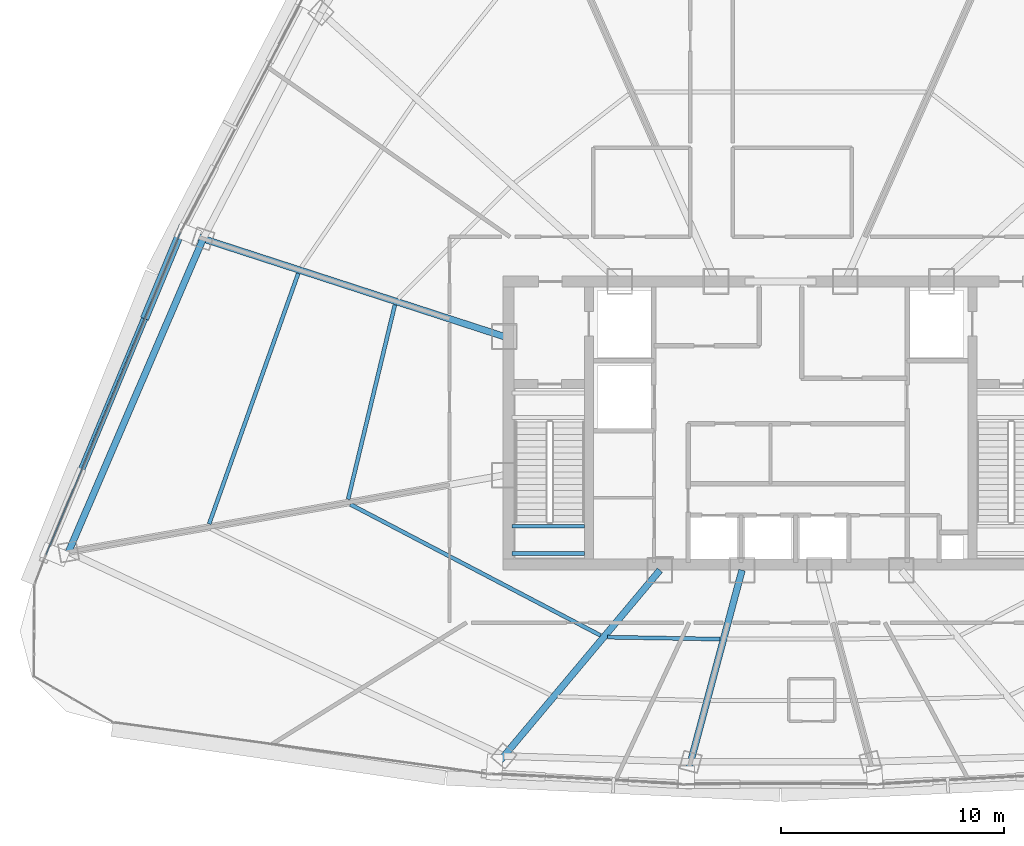
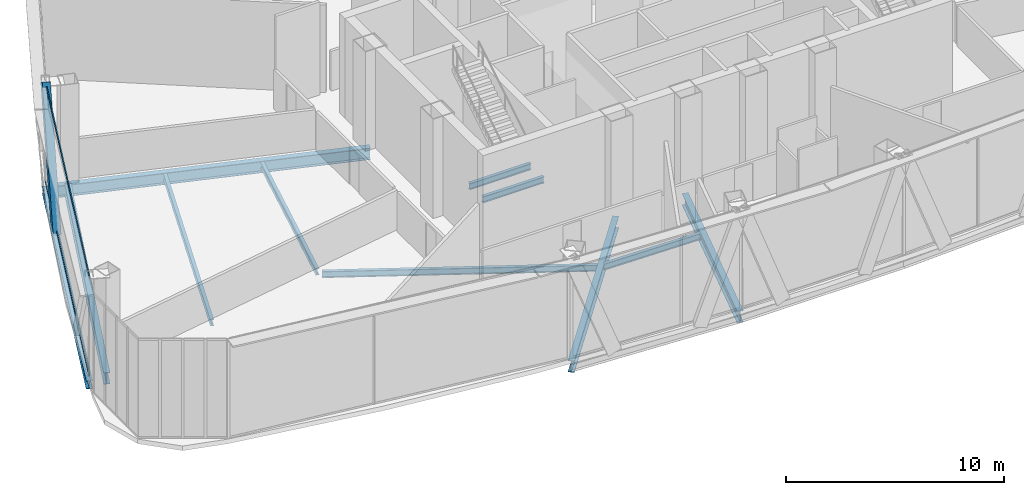
# One storey, part 7 of 38: 11 beams, 3 members, 1 element without a shape of its own.
"""IFC4 building model written with IfcOpenShell, lengths in metres."""

from ifc_helpers import new_model, si_unit, direction, frame, origin, origin_2d, place, context, subcontext, project, spatial, hollow_rectangle, i_section, extrude, source, transform, mapped, material, layer, layer_set, material_profile, profile_set, type_object, element, aggregate, save


model = new_model("IFC4")

# Units and contexts
model_context = context("Model", 3, precision=1e-05, world=origin(), true_north=direction((0.0, 1.0)))
body_context = subcontext(model_context, "Body", "Model", "MODEL_VIEW")
ifc_project = project(units=[si_unit("LENGTHUNIT", "METRE"), si_unit("AREAUNIT", "SQUARE_METRE"), si_unit("VOLUMEUNIT", "CUBIC_METRE"), si_unit("PLANEANGLEUNIT", "RADIAN"), si_unit("MASSUNIT", "GRAM", prefix="KILO"), si_unit("THERMODYNAMICTEMPERATUREUNIT", "KELVIN"), si_unit("POWERUNIT", "WATT")], contexts=[model_context])

# Site, building, storey
site_placement = place(None, origin())
site = spatial("IfcSite", under=ifc_project, at=site_placement, CompositionType="ELEMENT")
building_placement = place(site_placement, origin())
building = spatial("IfcBuilding", under=site, at=building_placement, Name="Yunzhuo Pagoda Commons", CompositionType="ELEMENT")
storey_placement = place(building_placement, frame((0.0, 0.0, 266.909912109375)))
storey = spatial("IfcBuildingStorey", under=building, at=storey_placement, Name="L67", CompositionType="ELEMENT", Elevation=266.909912109375)

# Beams
ifc_material_1 = material(Name="Structural steel Q355B", Category="steel")
ifc_material_profile_1 = material_profile(ifc_material_1, i_section(OverallWidth=0.175048828125, OverallDepth=0.35009765625, WebThickness=0.007080078125, FlangeThickness=0.010986328125, at=origin_2d()), Name="Structural steel Q355B")
ifc_profile_set_1 = profile_set([ifc_material_profile_1], Name="Structural steel Q355B")
beam_type_1 = type_object("IfcBeamType", Name="B-JS2 Joist HN 350x175x7x11", PredefinedType="JOIST", material=ifc_profile_set_1)
shared_shape_1 = source(origin(), body_context, "Body", "SweptSolid", [
    extrude(i_section(OverallWidth=0.175048828125, OverallDepth=0.35009765625, WebThickness=0.007080078125, FlangeThickness=0.010986328125, at=origin_2d()), origin(), (0.0, 0.0, 1.0), 3.25),
])
for number, where, z_axis, x_axis, name in (
    (1, (35.949951171875, 28.0, 2.550048828125), (1.0, 0.0, 0.0), (0.0, 1.0, 0.0), "L67 ST1 landing support beam 73A"),
    (2, (35.949951171875, 29.219970703125, 2.550048828125), (1.0, 0.0, 0.0), (0.0, 1.0, 0.0), "L67 ST1 landing support beam 73B"),
):
    element("IfcBeam", number, at=place(storey_placement, frame(where, z_axis=z_axis, x_axis=x_axis)), inside=storey, type_object=beam_type_1, Name=name, PredefinedType="JOIST", context=body_context, shape_type="MappedRepresentation", body=[
        mapped(shared_shape_1, transform((0.0, 0.0, 0.0), scale=1.0)),
    ])
ifc_material_profile_2 = material_profile(ifc_material_1, i_section(OverallWidth=0.300048828125, OverallDepth=0.64990234375, WebThickness=0.012939453125, FlangeThickness=0.02197265625, at=origin_2d()), Name="Structural steel Q355B")
ifc_profile_set_2 = profile_set([ifc_material_profile_2], Name="Structural steel Q355B")
beam_type_2 = type_object("IfcBeamType", Name="B-RG2 Beam HN 650x300x13x22", PredefinedType="BEAM", material=ifc_profile_set_2)
shared_shape_2 = source(origin(), body_context, "Body", "SweptSolid", [
    extrude(i_section(OverallWidth=0.300048828125, OverallDepth=0.64990234375, WebThickness=0.012939453125, FlangeThickness=0.02197265625, at=origin_2d()), origin(), (0.0, 0.0, 1.0), 15.287841796875),
])
beam_1_placement = place(storey_placement, frame((22.101806640625, 42.114990234375, -0.5849609375), z_axis=(-0.394815333819, -0.918760497726, 0.0), x_axis=(0.918760497726, -0.394815333819, 0.0)))
element("IfcBeam", 3, at=beam_1_placement, inside=storey, type_object=beam_type_2, Name="L67 column-ring beam 11", PredefinedType="BEAM", context=body_context, shape_type="MappedRepresentation", body=[
    mapped(shared_shape_2, transform((0.0, 0.0, 0.0), scale=1.0)),
])
shared_shape_3 = source(origin(), body_context, "Body", "SweptSolid", [
    extrude(i_section(OverallWidth=0.175048828125, OverallDepth=0.35009765625, WebThickness=0.007080078125, FlangeThickness=0.010986328125, at=origin_2d()), origin(), (0.0, 0.0, 1.0), 5.0556640625),
])
beam_2_placement = place(storey_placement, frame((40.228515625, 24.24609375, -0.434814453125), z_axis=(0.999848878561, -0.017384477, 0.0), x_axis=(0.017384477, 0.999848878561, 0.0)))
element("IfcBeam", 4, at=beam_2_placement, inside=storey, type_object=beam_type_1, Name="L67 composite ring joist 1.1", PredefinedType="JOIST", context=body_context, shape_type="MappedRepresentation", body=[
    mapped(shared_shape_3, transform((0.0, 0.0, 0.0), scale=1.0)),
])
shared_shape_4 = source(origin(), body_context, "Body", "SweptSolid", [
    extrude(i_section(OverallWidth=0.175048828125, OverallDepth=0.35009765625, WebThickness=0.007080078125, FlangeThickness=0.010986328125, at=origin_2d()), origin(), (0.0, 0.0, 1.0), 12.666259765625),
])
beam_3_placement = place(storey_placement, frame((28.70849609375, 30.19970703125, -0.434814453125), z_axis=(0.885841344078, -0.463988268302, 0.0), x_axis=(0.463988268302, 0.885841344078, 0.0)))
element("IfcBeam", 5, at=beam_3_placement, inside=storey, type_object=beam_type_1, Name="L67 composite ring joist 1.12", PredefinedType="JOIST", context=body_context, shape_type="MappedRepresentation", body=[
    mapped(shared_shape_4, transform((0.0, 0.0, 0.0), scale=1.0)),
])
shared_shape_5 = source(origin(), body_context, "Body", "SweptSolid", [
    extrude(i_section(OverallWidth=0.175048828125, OverallDepth=0.35009765625, WebThickness=0.007080078125, FlangeThickness=0.010986328125, at=origin_2d()), origin(), (0.0, 0.0, 1.0), 8.973876953125),
])
beam_4_placement = place(storey_placement, frame((30.703369140625, 39.1533203125, -0.434814453125), z_axis=(-0.233807152827, -0.972282991359, 0.0), x_axis=(0.972282991359, -0.233807152827, 0.0)))
element("IfcBeam", 6, at=beam_4_placement, inside=storey, type_object=beam_type_1, Name="L67 composite ring joist 1.11", PredefinedType="JOIST", context=body_context, shape_type="MappedRepresentation", body=[
    mapped(shared_shape_5, transform((0.0, 0.0, 0.0), scale=1.0)),
])
shared_shape_6 = source(origin(), body_context, "Body", "SweptSolid", [
    extrude(i_section(OverallWidth=0.175048828125, OverallDepth=0.35009765625, WebThickness=0.007080078125, FlangeThickness=0.010986328125, at=origin_2d()), origin(), (0.0, 0.0, 1.0), 11.929931640625),
])
beam_5_placement = place(storey_placement, frame((26.36767578125, 40.5615234375, -0.434814453125), z_axis=(-0.335086374925, -0.942187413066, 0.0), x_axis=(0.942187413066, -0.335086374925, 0.0)))
element("IfcBeam", 7, at=beam_5_placement, inside=storey, type_object=beam_type_1, Name="L67 composite ring joist 2.11", PredefinedType="JOIST", context=body_context, shape_type="MappedRepresentation", body=[
    mapped(shared_shape_6, transform((0.0, 0.0, 0.0), scale=1.0)),
])
shared_shape_7 = source(origin(), body_context, "Body", "SweptSolid", [
    extrude(i_section(OverallWidth=0.300048828125, OverallDepth=0.64990234375, WebThickness=0.012939453125, FlangeThickness=0.02197265625, at=origin_2d()), origin(), (0.0, 0.0, 1.0), 11.77685546875),
])
beam_6_placement = place(storey_placement, frame((35.017578125, 18.228515625, -0.5849609375), z_axis=(0.642806957164, 0.766028208241, 0.0), x_axis=(-0.766028208241, 0.642806957164, 0.0)))
element("IfcBeam", 8, at=beam_6_placement, inside=storey, type_object=beam_type_2, Name="L67 radial floor girder F1C1", PredefinedType="BEAM", context=body_context, shape_type="MappedRepresentation", body=[
    mapped(shared_shape_7, transform((0.0, 0.0, 0.0), scale=1.0)),
])
shared_shape_8 = source(origin(), body_context, "Body", "SweptSolid", [
    extrude(i_section(OverallWidth=0.300048828125, OverallDepth=0.64990234375, WebThickness=0.012939453125, FlangeThickness=0.02197265625, at=origin_2d()), origin(), (0.0, 0.0, 1.0), 9.794189453125),
])
beam_7_placement = place(storey_placement, frame((43.73681640625, 17.78955078125, -0.5849609375), z_axis=(0.258841576425, 0.965919788758, 0.0), x_axis=(-0.965919788758, 0.258841576425, 0.0)))
element("IfcBeam", 9, at=beam_7_placement, inside=storey, type_object=beam_type_2, Name="L67 radial floor girder F1C2", PredefinedType="BEAM", context=body_context, shape_type="MappedRepresentation", body=[
    mapped(shared_shape_8, transform((0.0, 0.0, 0.0), scale=1.0)),
])
shared_shape_9 = source(origin(), body_context, "Body", "SweptSolid", [
    extrude(i_section(OverallWidth=0.300048828125, OverallDepth=0.64990234375, WebThickness=0.012939453125, FlangeThickness=0.02197265625, at=origin_2d()), origin(), (0.0, 0.0, 1.0), 15.08837890625),
])
beam_8_placement = place(storey_placement, frame((21.250244140625, 42.3916015625, -0.5849609375), z_axis=(0.951055588919, -0.309019848532, 0.0), x_axis=(0.309019848532, 0.951055588919, 0.0)))
element("IfcBeam", 10, at=beam_8_placement, inside=storey, type_object=beam_type_2, Name="L67 radial floor girder F3C3", PredefinedType="BEAM", context=body_context, shape_type="MappedRepresentation", body=[
    mapped(shared_shape_9, transform((0.0, 0.0, 0.0), scale=1.0)),
])
ifc_material_profile_3 = material_profile(ifc_material_1, i_section(OverallWidth=0.300048828125, OverallDepth=0.43994140625, WebThickness=0.010986328125, FlangeThickness=0.01806640625, at=origin_2d()), Name="Structural steel Q355B")
ifc_profile_set_3 = profile_set([ifc_material_profile_3], Name="Structural steel Q355B")
beam_type_3 = type_object("IfcBeamType", Name="B-SP2 Beam HM 440x300x11x18", PredefinedType="BEAM", material=ifc_profile_set_3)
shared_shape_10 = source(origin(), body_context, "Body", "SweptSolid", [
    extrude(i_section(OverallWidth=0.300048828125, OverallDepth=0.43994140625, WebThickness=0.010986328125, FlangeThickness=0.01806640625, at=origin_2d()), origin(), (0.0, 0.0, 1.0), 15.768310546875),
])
beam_9_placement = place(storey_placement, frame((21.102783203125, 42.439453125, -0.47998046875), z_axis=(-0.385002336269, -0.922915598019, 0.0), x_axis=(0.922915598019, -0.385002336269, 0.0)))
element("IfcBeam", 11, at=beam_9_placement, inside=storey, type_object=beam_type_3, Name="L67 facade edge spandrel beam F3.3", PredefinedType="BEAM", context=body_context, shape_type="MappedRepresentation", body=[
    mapped(shared_shape_10, transform((0.0, 0.0, 0.0), scale=1.0)),
])

# Member
ifc_material_profile_4 = material_profile(ifc_material_1, hollow_rectangle(XDim=0.3798828125, YDim=0.719970703125, WallThickness=0.02001953125, at=origin_2d()), Name="Structural steel Q355B")
ifc_profile_set_4 = profile_set([ifc_material_profile_4], Name="Structural steel Q355B")
member_type_1 = type_object("IfcMemberType", Name="M-DL3 Brace BOX 720x380x20", PredefinedType="BRACE", material=ifc_profile_set_4)
shared_shape_11 = source(origin(), body_context, "Body", "SweptSolid", [
    extrude(hollow_rectangle(XDim=0.3798828125, YDim=0.719970703125, WallThickness=0.02001953125, at=origin_2d()), origin(), (0.0, 0.0, 1.0), 7.037841796875),
])
member_1_placement = place(storey_placement, frame((19.585205078125, 38.801513671875, -0.260009765625), z_axis=(0.21563316562, 0.516915991135, 0.828432372613), x_axis=(-0.922917421146, 0.384997965898, 0.0)))
element("IfcMember", 12, at=member_1_placement, inside=storey, type_object=member_type_1, Name="L67 facade diamond brace F3.3L", PredefinedType="BRACE", context=body_context, shape_type="MappedRepresentation", body=[
    mapped(shared_shape_11, transform((0.0, 0.0, 0.0), scale=1.0)),
])

# Curtain wall, members
ifc_material_2 = material(Name="Anodized aluminium 6063-T6", Category="aluminium")
ifc_layer = layer(ifc_material_2, 0.139892578125)
ifc_layer_set = layer_set([ifc_layer], Name="Anodized aluminium 6063-T6")
curtain_wall_type = type_object("IfcCurtainWallType", Name="CW-HI High-Zone Ribbon Curtain Wall", PredefinedType="NOTDEFINED", material=ifc_layer_set)
curtain_wall_placement = place(storey_placement, origin())
curtain_wall = element("IfcCurtainWall", 13, at=curtain_wall_placement, inside=storey, type_object=curtain_wall_type, Name="L67 curtain wall CW-L67-F3B4", PredefinedType="NOTDEFINED")
ifc_material_profile_5 = material_profile(ifc_material_2, hollow_rectangle(XDim=0.054931640625, YDim=0.1201171875, WallThickness=0.00341796875, at=origin_2d()), Name="Anodized aluminium 6063-T6")
ifc_profile_set_5 = profile_set([ifc_material_profile_5], Name="Anodized aluminium 6063-T6")
member_type_2 = type_object("IfcMemberType", Name="CW-HI-T Transom RHS 120x55x3.5", PredefinedType="USERDEFINED", material=ifc_profile_set_5)
shared_shape_12 = source(origin(), body_context, "Body", "SweptSolid", [
    extrude(hollow_rectangle(XDim=0.054931640625, YDim=0.1201171875, WallThickness=0.00341796875, at=origin_2d()), origin(), (0.0, 0.0, 1.0), 15.648193359375),
])
member_2_placement = place(storey_placement, frame((21.079833984375, 42.384033203125, 0.027587890625), z_axis=(-0.385020809242, -0.92290789164, 0.0), x_axis=(0.92290789164, -0.385020809242, 0.0)))
member_2 = element("IfcMember", 14, at=member_2_placement, type_object=member_type_2, Name="CW transom 1.1", ObjectType="TRANSOM", PredefinedType="USERDEFINED", context=body_context, shape_type="MappedRepresentation", body=[
    mapped(shared_shape_12, transform((0.0, 0.0, 0.0), scale=1.0)),
])
member_3_placement = place(storey_placement, frame((21.079833984375, 42.384033203125, 5.54248046875), z_axis=(-0.385020809242, -0.92290789164, 0.0), x_axis=(0.92290789164, -0.385020809242, 0.0)))
member_3 = element("IfcMember", 15, at=member_3_placement, type_object=member_type_2, Name="CW transom 1.2", ObjectType="TRANSOM", PredefinedType="USERDEFINED", context=body_context, shape_type="MappedRepresentation", body=[
    mapped(shared_shape_12, transform((0.0, 0.0, 0.0), scale=1.0)),
])
aggregate(curtain_wall, [member_2, member_3])

save(model, "model.ifc")
